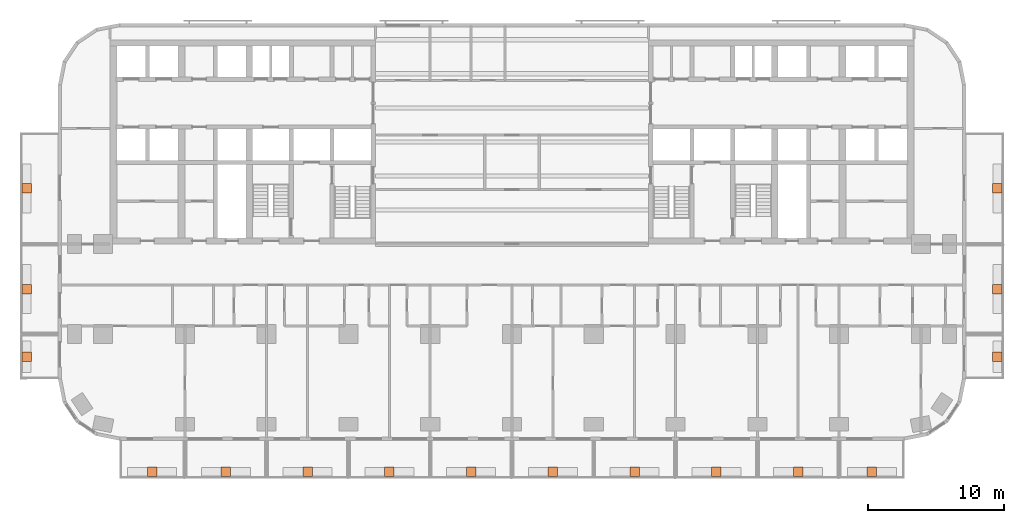
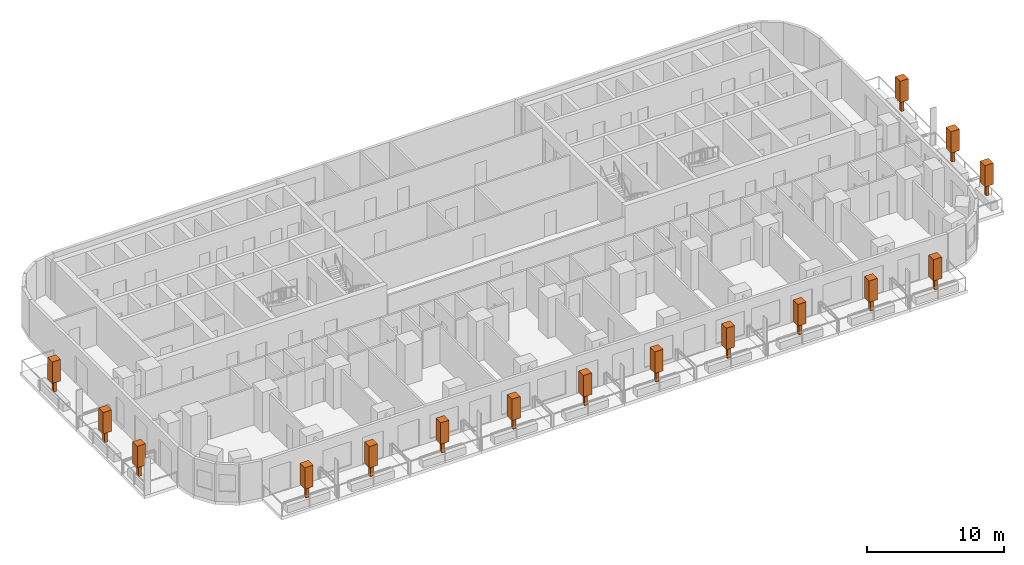
# One storey, part 15 of 15: 16 geographic elements.
"""IFC4 building model written with IfcOpenShell, lengths in metres."""

from ifc_helpers import new_model, si_unit, direction, frame, origin, origin_2d, place, context, subcontext, project, spatial, rectangle, extrude, material, element, save


model = new_model("IFC4")

# Units and contexts
model_context = context("Model", 3, precision=1e-05, world=origin(), true_north=direction((0.0, 1.0)))
body_context = subcontext(model_context, "Body", "Model", "MODEL_VIEW")
ifc_project = project(units=[si_unit("LENGTHUNIT", "METRE"), si_unit("AREAUNIT", "SQUARE_METRE"), si_unit("VOLUMEUNIT", "CUBIC_METRE"), si_unit("PLANEANGLEUNIT", "RADIAN"), si_unit("MASSUNIT", "GRAM", prefix="KILO")], contexts=[model_context])

# Site, building, storey
site_placement = place(None, origin())
site = spatial("IfcSite", under=ifc_project, at=site_placement, CompositionType="ELEMENT")
building_placement = place(site_placement, origin())
building = spatial("IfcBuilding", under=site, at=building_placement, Name="Torana Hotel and Residences", CompositionType="ELEMENT")
storey_placement = place(building_placement, frame((0.0, 0.0, 67.199951171875)))
storey = spatial("IfcBuildingStorey", under=building, at=storey_placement, Name="L16", CompositionType="ELEMENT", Elevation=67.199951171875)

# Geographic elements
ifc_material = material(Name="Foliage", Category="planting")
for number, where, z_axis, x_axis, name in (
    (1, (-26.39990234375, -31.699951171875, 0.650146484375), (0.0, 0.0, 1.0), (1.0, 0.0, 0.0), "Tree 01"),
    (2, (-21.0, -31.699951171875, 0.650146484375), (0.0, 0.0, 1.0), (1.0, 0.0, 0.0), "Tree 02"),
    (3, (-15.0, -31.699951171875, 0.650146484375), (0.0, 0.0, 1.0), (1.0, 0.0, 0.0), "Tree 03"),
    (4, (-9.0, -31.699951171875, 0.650146484375), (0.0, 0.0, 1.0), (1.0, 0.0, 0.0), "Tree 04"),
    (5, (-3.0, -31.699951171875, 0.650146484375), (0.0, 0.0, 1.0), (1.0, 0.0, 0.0), "Tree 05"),
    (6, (3.0, -31.699951171875, 0.650146484375), (0.0, 0.0, 1.0), (1.0, 0.0, 0.0), "Tree 06"),
    (7, (9.0, -31.699951171875, 0.650146484375), (0.0, 0.0, 1.0), (1.0, 0.0, 0.0), "Tree 07"),
    (8, (15.0, -31.699951171875, 0.650146484375), (0.0, 0.0, 1.0), (1.0, 0.0, 0.0), "Tree 08"),
    (9, (21.0, -31.699951171875, 0.650146484375), (0.0, 0.0, 1.0), (1.0, 0.0, 0.0), "Tree 09"),
    (10, (26.39990234375, -31.699951171875, 0.650146484375), (0.0, 0.0, 1.0), (1.0, 0.0, 0.0), "Tree 10"),
    (11, (-35.60009765625, -23.25, 0.650146484375), (0.0, 0.0, 1.0), (1.0, 0.0, 0.0), "Tree 11"),
    (12, (-35.60009765625, -18.300048828125, 0.650146484375), (0.0, 0.0, 1.0), (1.0, 0.0, 0.0), "Tree 12"),
    (13, (-35.60009765625, -10.89990234375, 0.650146484375), (0.0, 0.0, 1.0), (1.0, 0.0, 0.0), "Tree 13"),
    (14, (35.60009765625, -23.25, 0.650146484375), (0.0, 0.0, 1.0), (1.0, 0.0, 0.0), "Tree 14"),
    (15, (35.60009765625, -18.300048828125, 0.650146484375), (0.0, 0.0, 1.0), (1.0, 0.0, 0.0), "Tree 15"),
    (16, (35.60009765625, -10.89990234375, 0.650146484375), (0.0, 0.0, 1.0), (1.0, 0.0, 0.0), "Tree 16"),
):
    element("IfcGeographicElement", number, at=place(storey_placement, frame(where, z_axis=z_axis, x_axis=x_axis)), inside=storey, material=ifc_material, Name=name, ObjectType="TREE", PredefinedType="USERDEFINED", context=body_context, shape_type="SweptSolid", body=[
        extrude(rectangle(XDim=0.25, YDim=0.25, at=origin_2d()), origin(), (0.0, 0.0, 1.0), 1.0),
        extrude(rectangle(XDim=0.699951171875, YDim=0.699951171875, at=origin_2d()), frame((0.0, 0.0, 1.0)), (0.0, 0.0, 1.0), 1.89990234375),
    ])

save(model, "model.ifc")
